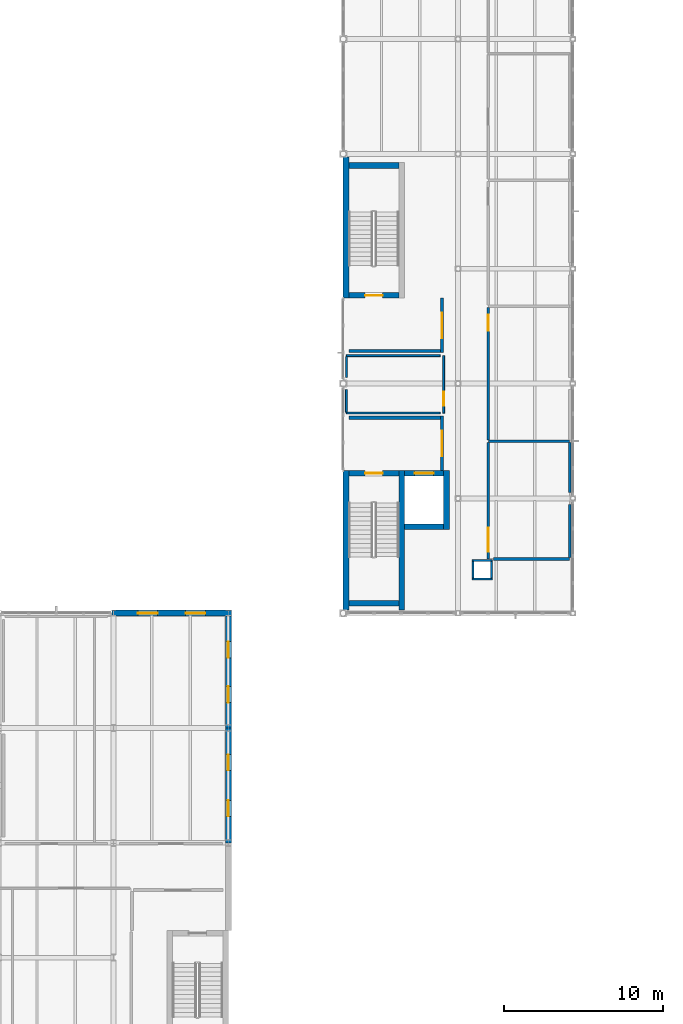
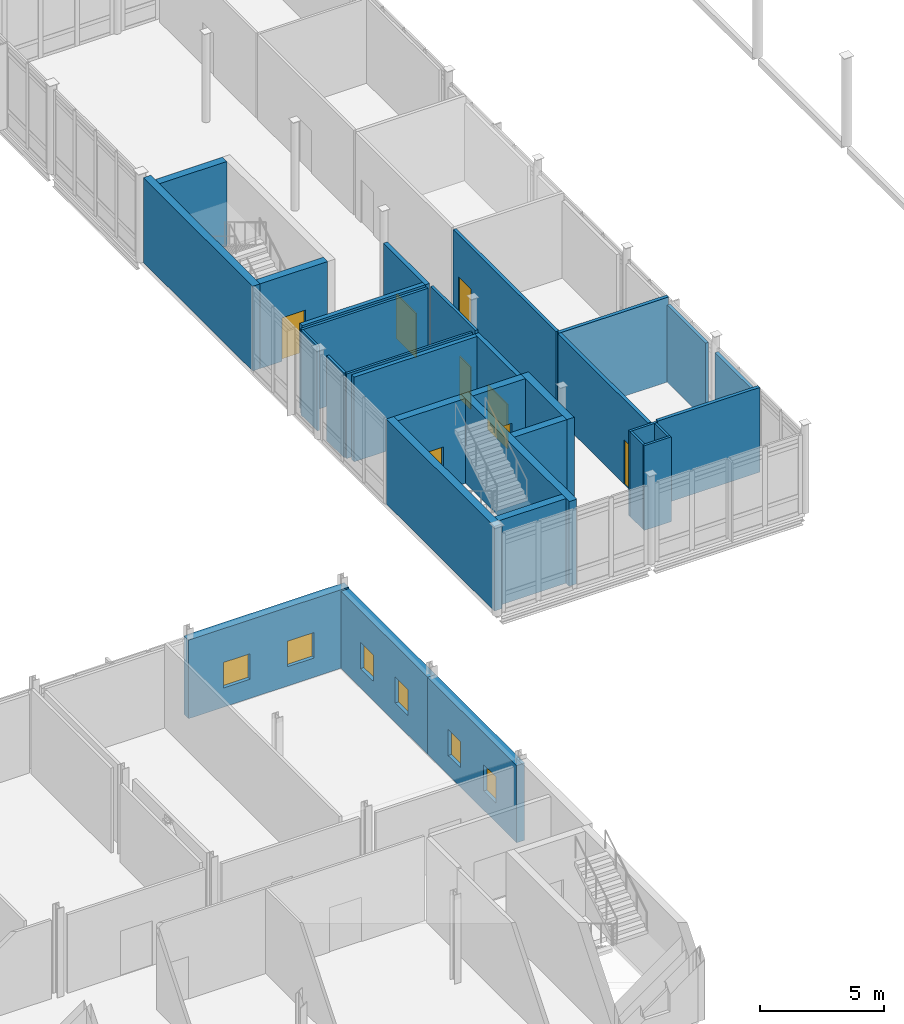
# One storey, part 57 of 76: 32 walls, 8 doors, 6 windows, 14 openings.
"""IFC4 building model written with IfcOpenShell, lengths in metres."""

from ifc_helpers import new_model, si_unit, direction, frame, frame_2d, origin, place, context, subcontext, project, spatial, rectangle, extrude, material, layer, layer_set, type_object, element, fill, save


model = new_model("IFC4")

# Units and contexts
model_context = context("Model", 3, precision=1e-05, world=origin(), true_north=direction((0.0, 1.0)))
body_context = subcontext(model_context, "Body", "Model", "MODEL_VIEW")
ifc_project = project(units=[si_unit("LENGTHUNIT", "METRE"), si_unit("AREAUNIT", "SQUARE_METRE"), si_unit("VOLUMEUNIT", "CUBIC_METRE"), si_unit("PLANEANGLEUNIT", "RADIAN"), si_unit("MASSUNIT", "GRAM", prefix="KILO")], contexts=[model_context])

# Site, building, storey
site_placement = place(None, origin())
site = spatial("IfcSite", under=ifc_project, at=site_placement, CompositionType="ELEMENT")
building_placement = place(site_placement, origin())
building = spatial("IfcBuilding", under=site, at=building_placement, Name="Zarrinpeak Specialist Clinic", CompositionType="ELEMENT")
storey_placement = place(building_placement, frame((0.0, 0.0, 5.199951171875)))
storey = spatial("IfcBuildingStorey", under=building, at=storey_placement, Name="L01", CompositionType="ELEMENT", Elevation=5.199951171875)

# Wall
ifc_material_1 = material(Name="Concrete C40/50", Category="concrete")
ifc_layer_1 = layer(ifc_material_1, 0.35009765625)
ifc_layer_set_1 = layer_set([ifc_layer_1], Name="Concrete C40/50")
wall_type_1 = type_object("IfcWallType", Name="WL-CR350", PredefinedType="SHEAR", material=ifc_layer_set_1)
wall_1_placement = place(storey_placement, frame((93.949951171875, 29.425048828125, 0.0), z_axis=(0.0, 0.0, 1.0), x_axis=(1.0, 0.0, 0.0)))
element("IfcWall", 1, at=wall_1_placement, inside=storey, type_object=wall_type_1, Name="L01 Core C05 Shear Wall STS", PredefinedType="SHEAR", context=body_context, shape_type="SweptSolid", body=[
    extrude(rectangle(XDim=3.150146484375, YDim=0.35009765625, at=frame_2d((1.5751953125, 0.0))), origin(), (0.0, 0.0, 1.0), 4.18505859375),
])

# Wall, opening, door
wall_2_placement = place(storey_placement, frame((93.949951171875, 37.574951171875, 0.0), z_axis=(0.0, 0.0, 1.0), x_axis=(1.0, 0.0, 0.0)))
wall_2 = element("IfcWall", 2, at=wall_2_placement, inside=storey, type_object=wall_type_1, Name="L01 Core C05 Shear Wall STN", PredefinedType="SHEAR", context=body_context, shape_type="SweptSolid", body=[
    extrude(rectangle(XDim=3.150146484375, YDim=0.35009765625, at=frame_2d((1.5751953125, 0.0))), origin(), (0.0, 0.0, 1.0), 4.18505859375),
])
opening_1_placement = place(wall_2_placement, frame((1.02490234375, 0.0, 0.0)))
opening_1 = element("IfcOpeningElement", 3, at=opening_1_placement, cuts=wall_2, Name="Opening D-S02", PredefinedType="OPENING", context=body_context, shape_type="SweptSolid", body=[
    extrude(rectangle(XDim=1.10009765625, YDim=2.14990234375, at=frame_2d((0.550048828125, 1.074951171875))), frame((0.0, 0.18505859375, 0.0), z_axis=(0.0, -1.0, 0.0), x_axis=(1.0, 0.0, 0.0)), (0.0, 0.0, 1.0), 0.3701171875),
])
ifc_material_2 = material(Name="Powder-Coated Galvanised Steel", Category="steel")
door_type_1 = type_object("IfcDoorType", Name="DR-FD110", OperationType="SINGLE_SWING_RIGHT", PredefinedType="DOOR", material=ifc_material_2)
door_1_placement = place(opening_1_placement, frame((1.10009765625, 0.0, 0.0), z_axis=(0.0, 0.0, 1.0), x_axis=(-1.0, 0.0, 0.0)))
door_1 = element("IfcDoor", 4, at=door_1_placement, inside=storey, type_object=door_type_1, Name="L01 Protected Stair ST-05 Fire Door", OperationType="SINGLE_SWING_RIGHT", OverallHeight=2.14990234375, OverallWidth=1.10009765625, PredefinedType="DOOR", context=body_context, shape_type="SweptSolid", body=[
    extrude(rectangle(XDim=1.10009765625, YDim=2.14990234375, at=frame_2d((0.550048828125, 1.074951171875))), frame((0.0, 0.02490234375, 0.0), z_axis=(0.0, -1.0, 0.0), x_axis=(1.0, 0.0, 0.0)), (0.0, 0.0, 1.0), 0.050048828125),
])
fill(opening_1, door_1)

# Walls
for number, where, z_axis, x_axis, name in (
    (5, (93.77490234375, 29.0, 0.0), (0.0, 0.0, 1.0), (0.0, 1.0, 0.0), "L01 Core C05 Shear Wall STW"),
    (6, (97.27490234375, 29.0, 0.0), (0.0, 0.0, 1.0), (0.0, 1.0, 0.0), "L01 Core C05 Shear Wall STE"),
):
    element("IfcWall", number, at=place(storey_placement, frame(where, z_axis=z_axis, x_axis=x_axis)), inside=storey, type_object=wall_type_1, Name=name, PredefinedType="SHEAR", context=body_context, shape_type="SweptSolid", body=[
        extrude(rectangle(XDim=8.75, YDim=0.35009765625, at=frame_2d((4.375, 0.0))), origin(), (0.0, 0.0, 1.0), 4.18505859375),
    ])
wall_3_placement = place(storey_placement, frame((97.449951171875, 34.22509765625, 0.0), z_axis=(0.0, 0.0, 1.0), x_axis=(1.0, 0.0, 0.0)))
element("IfcWall", 7, at=wall_3_placement, inside=storey, type_object=wall_type_1, Name="L01 Lift LF-P3 Shaft Wall LFS", PredefinedType="SHEAR", context=body_context, shape_type="SweptSolid", body=[
    extrude(rectangle(XDim=2.449951171875, YDim=0.35009765625, at=frame_2d((1.22509765625, 0.0))), origin(), (0.0, 0.0, 1.0), 4.18505859375),
])

# Wall, opening, door
wall_4_placement = place(storey_placement, frame((97.449951171875, 37.574951171875, 0.0), z_axis=(0.0, 0.0, 1.0), x_axis=(1.0, 0.0, 0.0)))
wall_4 = element("IfcWall", 8, at=wall_4_placement, inside=storey, type_object=wall_type_1, Name="L01 Lift LF-P3 Shaft Wall LFN", PredefinedType="SHEAR", context=body_context, shape_type="SweptSolid", body=[
    extrude(rectangle(XDim=2.449951171875, YDim=0.35009765625, at=frame_2d((1.22509765625, 0.0))), origin(), (0.0, 0.0, 1.0), 4.18505859375),
])
opening_2_placement = place(wall_4_placement, frame((0.625, 0.0, 0.0)))
opening_2 = element("IfcOpeningElement", 9, at=opening_2_placement, cuts=wall_4, Name="Opening LD-02", PredefinedType="OPENING", context=body_context, shape_type="SweptSolid", body=[
    extrude(rectangle(XDim=1.199951171875, YDim=2.199951171875, at=frame_2d((0.60009765625, 1.10009765625))), frame((0.0, 0.18505859375, 0.0), z_axis=(0.0, -1.0, 0.0), x_axis=(1.0, 0.0, 0.0)), (0.0, 0.0, 1.0), 0.3701171875),
])
door_type_2 = type_object("IfcDoorType", Name="DR-LD120", OperationType="SLIDING_TO_RIGHT", PredefinedType="DOOR", material=ifc_material_2)
door_2_placement = place(opening_2_placement, origin())
door_2 = element("IfcDoor", 10, at=door_2_placement, inside=storey, type_object=door_type_2, Name="L01 Lift LF-P3 Sliding Landing Door", OperationType="SLIDING_TO_RIGHT", OverallHeight=2.199951171875, OverallWidth=1.199951171875, PredefinedType="DOOR", context=body_context, shape_type="SweptSolid", body=[
    extrude(rectangle(XDim=1.199951171875, YDim=2.199951171875, at=frame_2d((0.60009765625, 1.10009765625))), frame((0.0, 0.02490234375, 0.0), z_axis=(0.0, -1.0, 0.0), x_axis=(1.0, 0.0, 0.0)), (0.0, 0.0, 1.0), 0.050048828125),
])
fill(opening_2, door_2)

# Wall
wall_5_placement = place(storey_placement, frame((100.074951171875, 34.050048828125, 0.0), z_axis=(0.0, 0.0, 1.0), x_axis=(0.0, 1.0, 0.0)))
element("IfcWall", 11, at=wall_5_placement, inside=storey, type_object=wall_type_1, Name="L01 Lift LF-P3 Shaft Wall LFE", PredefinedType="SHEAR", context=body_context, shape_type="SweptSolid", body=[
    extrude(rectangle(XDim=3.699951171875, YDim=0.35009765625, at=frame_2d((1.85009765625, 0.0))), origin(), (0.0, 0.0, 1.0), 4.18505859375),
])

# Wall, opening, door
wall_6_placement = place(storey_placement, frame((93.949951171875, 48.72509765625, 0.0), z_axis=(0.0, 0.0, 1.0), x_axis=(1.0, 0.0, 0.0)))
wall_6 = element("IfcWall", 12, at=wall_6_placement, inside=storey, type_object=wall_type_1, Name="L01 Core C06 Shear Wall STS", PredefinedType="SHEAR", context=body_context, shape_type="SweptSolid", body=[
    extrude(rectangle(XDim=3.150146484375, YDim=0.35009765625, at=frame_2d((1.5751953125, 0.0))), origin(), (0.0, 0.0, 1.0), 4.18505859375),
])
opening_3_placement = place(wall_6_placement, frame((1.02490234375, 0.0, 0.0)))
opening_3 = element("IfcOpeningElement", 13, at=opening_3_placement, cuts=wall_6, Name="Opening D-S02", PredefinedType="OPENING", context=body_context, shape_type="SweptSolid", body=[
    extrude(rectangle(XDim=1.10009765625, YDim=2.14990234375, at=frame_2d((0.550048828125, 1.074951171875))), frame((0.0, 0.18505859375, 0.0), z_axis=(0.0, -1.0, 0.0), x_axis=(1.0, 0.0, 0.0)), (0.0, 0.0, 1.0), 0.3701171875),
])
door_3_placement = place(opening_3_placement, origin())
door_3 = element("IfcDoor", 14, at=door_3_placement, inside=storey, type_object=door_type_1, Name="L01 Protected Stair ST-06 Fire Door", OperationType="SINGLE_SWING_RIGHT", OverallHeight=2.14990234375, OverallWidth=1.10009765625, PredefinedType="DOOR", context=body_context, shape_type="SweptSolid", body=[
    extrude(rectangle(XDim=1.10009765625, YDim=2.14990234375, at=frame_2d((0.550048828125, 1.074951171875))), frame((0.0, 0.02490234375, 0.0), z_axis=(0.0, -1.0, 0.0), x_axis=(1.0, 0.0, 0.0)), (0.0, 0.0, 1.0), 0.050048828125),
])
fill(opening_3, door_3)

# Walls
wall_7_placement = place(storey_placement, frame((93.949951171875, 56.875, 0.0), z_axis=(0.0, 0.0, 1.0), x_axis=(1.0, 0.0, 0.0)))
element("IfcWall", 15, at=wall_7_placement, inside=storey, type_object=wall_type_1, Name="L01 Core C06 Shear Wall STN", PredefinedType="SHEAR", context=body_context, shape_type="SweptSolid", body=[
    extrude(rectangle(XDim=3.150146484375, YDim=0.35009765625, at=frame_2d((1.5751953125, 0.0))), origin(), (0.0, 0.0, 1.0), 4.18505859375),
])
wall_8_placement = place(storey_placement, frame((93.77490234375, 48.550048828125, 0.0), z_axis=(0.0, 0.0, 1.0), x_axis=(0.0, 1.0, 0.0)))
element("IfcWall", 16, at=wall_8_placement, inside=storey, type_object=wall_type_1, Name="L01 Core C06 Shear Wall STW", PredefinedType="SHEAR", context=body_context, shape_type="SweptSolid", body=[
    extrude(rectangle(XDim=8.8466796875, YDim=0.35009765625, at=frame_2d((4.42333984375, 0.0))), origin(), (0.0, 0.0, 1.0), 4.18505859375),
])

# Wall, openings, windows
ifc_material_3 = material(Name="Precast concrete C40/50", Category="concrete")
ifc_layer_2 = layer(ifc_material_3, 0.3798828125)
ifc_layer_set_2 = layer_set([ifc_layer_2], Name="Precast concrete C40/50")
wall_type_2 = type_object("IfcWallType", Name="WL-EW380", PredefinedType="STANDARD", material=ifc_layer_set_2)
wall_9_placement = place(storey_placement, frame((86.590087890625, 28.800048828125, 0.0), z_axis=(0.0, 0.0, 1.0), x_axis=(-1.0, 0.0, 0.0)))
wall_9 = element("IfcWall", 17, at=wall_9_placement, inside=storey, type_object=wall_type_2, Name="L01 V4 Exterior GRC Wall EW-L01-V4-0169", PredefinedType="STANDARD", context=body_context, shape_type="SweptSolid", body=[
    extrude(rectangle(XDim=7.5, YDim=0.3798828125, at=frame_2d((3.75, 0.0))), origin(), (0.0, 0.0, 1.0), 3.880126953125),
])
opening_4_placement = place(wall_9_placement, frame((1.633056640625, 0.0, 0.949951171875)))
opening_4 = element("IfcOpeningElement", 18, at=opening_4_placement, cuts=wall_9, Name="Opening WS-12", PredefinedType="OPENING", context=body_context, shape_type="SweptSolid", body=[
    extrude(rectangle(XDim=1.23388671875, YDim=1.260009765625, at=frame_2d((0.616943359375, 0.6298828125))), frame((0.0, 0.199951171875, 0.0), z_axis=(0.0, -1.0, 0.0), x_axis=(1.0, 0.0, 0.0)), (0.0, 0.0, 1.0), 0.39990234375),
])
opening_5_placement = place(wall_9_placement, frame((4.633056640625, 0.0, 0.949951171875)))
opening_5 = element("IfcOpeningElement", 19, at=opening_5_placement, cuts=wall_9, Name="Opening WS-12", PredefinedType="OPENING", context=body_context, shape_type="SweptSolid", body=[
    extrude(rectangle(XDim=1.23388671875, YDim=1.260009765625, at=frame_2d((0.616943359375, 0.6298828125))), frame((0.0, 0.199951171875, 0.0), z_axis=(0.0, -1.0, 0.0), x_axis=(1.0, 0.0, 0.0)), (0.0, 0.0, 1.0), 0.39990234375),
])
ifc_material_4 = material(Name="Thermally Broken Aluminium and Low-E Glazing", Category="aluminium")
window_type_1 = type_object("IfcWindowType", Name="WN-SP12", PartitioningType="SINGLE_PANEL", PredefinedType="WINDOW", material=ifc_material_4)
window_1_placement = place(opening_4_placement, origin())
window_1 = element("IfcWindow", 20, at=window_1_placement, inside=storey, type_object=window_type_1, Name="L01 Modular Facade Window WN-L01-0200", OverallHeight=1.260009765625, OverallWidth=1.23388671875, PartitioningType="SINGLE_PANEL", PredefinedType="WINDOW", context=body_context, shape_type="SweptSolid", body=[
    extrude(rectangle(XDim=1.23388671875, YDim=1.260009765625, at=frame_2d((0.616943359375, 0.6298828125))), frame((0.0, 0.030029296875, 0.0), z_axis=(0.0, -1.0, 0.0), x_axis=(1.0, 0.0, 0.0)), (0.0, 0.0, 1.0), 0.06005859375),
])
fill(opening_4, window_1)
window_2_placement = place(opening_5_placement, origin())
window_2 = element("IfcWindow", 21, at=window_2_placement, inside=storey, type_object=window_type_1, Name="L01 Modular Facade Window WN-L01-0201", OverallHeight=1.260009765625, OverallWidth=1.23388671875, PartitioningType="SINGLE_PANEL", PredefinedType="WINDOW", context=body_context, shape_type="SweptSolid", body=[
    extrude(rectangle(XDim=1.23388671875, YDim=1.260009765625, at=frame_2d((0.616943359375, 0.6298828125))), frame((0.0, 0.030029296875, 0.0), z_axis=(0.0, -1.0, 0.0), x_axis=(1.0, 0.0, 0.0)), (0.0, 0.0, 1.0), 0.06005859375),
])
fill(opening_5, window_2)

wall_10_placement = place(storey_placement, frame((86.39990234375, 14.39990234375, 0.0), z_axis=(0.0, 0.0, 1.0), x_axis=(0.0, 1.0, 0.0)))
wall_10 = element("IfcWall", 22, at=wall_10_placement, inside=storey, type_object=wall_type_2, Name="L01 V4 Exterior GRC Wall EW-L01-V4-0175", PredefinedType="STANDARD", context=body_context, shape_type="SweptSolid", body=[
    extrude(rectangle(XDim=7.2001953125, YDim=0.3798828125, at=frame_2d((3.60009765625, 0.0))), origin(), (0.0, 0.0, 1.0), 3.81005859375),
])
opening_6_placement = place(wall_10_placement, frame((1.662109375, 0.0, 0.949951171875)))
opening_6 = element("IfcOpeningElement", 23, at=opening_6_placement, cuts=wall_10, Name="Opening WS-18", PredefinedType="OPENING", context=body_context, shape_type="SweptSolid", body=[
    extrude(rectangle(XDim=0.99609375, YDim=1.2958984375, at=frame_2d((0.498046875, 0.64794921875))), frame((0.0, 0.199951171875, 0.0), z_axis=(0.0, -1.0, 0.0), x_axis=(1.0, 0.0, 0.0)), (0.0, 0.0, 1.0), 0.39990234375),
])
opening_7_placement = place(wall_10_placement, frame((4.5419921875, 0.0, 0.949951171875)))
opening_7 = element("IfcOpeningElement", 24, at=opening_7_placement, cuts=wall_10, Name="Opening WS-18", PredefinedType="OPENING", context=body_context, shape_type="SweptSolid", body=[
    extrude(rectangle(XDim=0.99609375, YDim=1.2958984375, at=frame_2d((0.498046875, 0.64794921875))), frame((0.0, 0.199951171875, 0.0), z_axis=(0.0, -1.0, 0.0), x_axis=(1.0, 0.0, 0.0)), (0.0, 0.0, 1.0), 0.39990234375),
])
window_type_2 = type_object("IfcWindowType", Name="WN-SP18", PartitioningType="SINGLE_PANEL", PredefinedType="WINDOW", material=ifc_material_4)
window_3_placement = place(opening_6_placement, origin())
window_3 = element("IfcWindow", 25, at=window_3_placement, inside=storey, type_object=window_type_2, Name="L01 Modular Facade Window WN-L01-0206", OverallHeight=1.2958984375, OverallWidth=0.99609375, PartitioningType="SINGLE_PANEL", PredefinedType="WINDOW", context=body_context, shape_type="SweptSolid", body=[
    extrude(rectangle(XDim=0.99609375, YDim=1.2958984375, at=frame_2d((0.498046875, 0.64794921875))), frame((0.0, 0.030029296875, 0.0), z_axis=(0.0, -1.0, 0.0), x_axis=(1.0, 0.0, 0.0)), (0.0, 0.0, 1.0), 0.06005859375),
])
fill(opening_6, window_3)
window_4_placement = place(opening_7_placement, origin())
window_4 = element("IfcWindow", 26, at=window_4_placement, inside=storey, type_object=window_type_2, Name="L01 Modular Facade Window WN-L01-0207", OverallHeight=1.2958984375, OverallWidth=0.99609375, PartitioningType="SINGLE_PANEL", PredefinedType="WINDOW", context=body_context, shape_type="SweptSolid", body=[
    extrude(rectangle(XDim=0.99609375, YDim=1.2958984375, at=frame_2d((0.498046875, 0.64794921875))), frame((0.0, 0.030029296875, 0.0), z_axis=(0.0, -1.0, 0.0), x_axis=(1.0, 0.0, 0.0)), (0.0, 0.0, 1.0), 0.06005859375),
])
fill(opening_7, window_4)

wall_11_placement = place(storey_placement, frame((86.39990234375, 21.60009765625, 0.0), z_axis=(0.0, 0.0, 1.0), x_axis=(0.0, 1.0, 0.0)))
wall_11 = element("IfcWall", 27, at=wall_11_placement, inside=storey, type_object=wall_type_2, Name="L01 V4 Exterior GRC Wall EW-L01-V4-0176", PredefinedType="STANDARD", context=body_context, shape_type="SweptSolid", body=[
    extrude(rectangle(XDim=7.010009765625, YDim=0.3798828125, at=frame_2d((3.5048828125, 0.0))), origin(), (0.0, 0.0, 1.0), 3.81005859375),
])
opening_8_placement = place(wall_11_placement, frame((1.587890625, 0.0, 0.949951171875)))
opening_8 = element("IfcOpeningElement", 28, at=opening_8_placement, cuts=wall_11, Name="Opening WS-19", PredefinedType="OPENING", context=body_context, shape_type="SweptSolid", body=[
    extrude(rectangle(XDim=1.030029296875, YDim=1.2958984375, at=frame_2d((0.51513671875, 0.64794921875))), frame((0.0, 0.199951171875, 0.0), z_axis=(0.0, -1.0, 0.0), x_axis=(1.0, 0.0, 0.0)), (0.0, 0.0, 1.0), 0.39990234375),
])
opening_9_placement = place(wall_11_placement, frame((4.39208984375, 0.0, 0.949951171875)))
opening_9 = element("IfcOpeningElement", 29, at=opening_9_placement, cuts=wall_11, Name="Opening WS-19", PredefinedType="OPENING", context=body_context, shape_type="SweptSolid", body=[
    extrude(rectangle(XDim=1.030029296875, YDim=1.2958984375, at=frame_2d((0.51513671875, 0.64794921875))), frame((0.0, 0.199951171875, 0.0), z_axis=(0.0, -1.0, 0.0), x_axis=(1.0, 0.0, 0.0)), (0.0, 0.0, 1.0), 0.39990234375),
])
window_type_3 = type_object("IfcWindowType", Name="WN-SP19", PartitioningType="SINGLE_PANEL", PredefinedType="WINDOW", material=ifc_material_4)
window_5_placement = place(opening_8_placement, origin())
window_5 = element("IfcWindow", 30, at=window_5_placement, inside=storey, type_object=window_type_3, Name="L01 Modular Facade Window WN-L01-0208", OverallHeight=1.2958984375, OverallWidth=1.030029296875, PartitioningType="SINGLE_PANEL", PredefinedType="WINDOW", context=body_context, shape_type="SweptSolid", body=[
    extrude(rectangle(XDim=1.030029296875, YDim=1.2958984375, at=frame_2d((0.51513671875, 0.64794921875))), frame((0.0, 0.030029296875, 0.0), z_axis=(0.0, -1.0, 0.0), x_axis=(1.0, 0.0, 0.0)), (0.0, 0.0, 1.0), 0.06005859375),
])
fill(opening_8, window_5)
window_6_placement = place(opening_9_placement, origin())
window_6 = element("IfcWindow", 31, at=window_6_placement, inside=storey, type_object=window_type_3, Name="L01 Modular Facade Window WN-L01-0209", OverallHeight=1.2958984375, OverallWidth=1.030029296875, PartitioningType="SINGLE_PANEL", PredefinedType="WINDOW", context=body_context, shape_type="SweptSolid", body=[
    extrude(rectangle(XDim=1.030029296875, YDim=1.2958984375, at=frame_2d((0.51513671875, 0.64794921875))), frame((0.0, 0.030029296875, 0.0), z_axis=(0.0, -1.0, 0.0), x_axis=(1.0, 0.0, 0.0)), (0.0, 0.0, 1.0), 0.06005859375),
])
fill(opening_9, window_6)

# Walls
ifc_material_5 = material(Name="Sanitary Service Chase Plumbing Wall", Category="gypsum")
ifc_layer_3 = layer(ifc_material_5, 0.110107421875)
ifc_layer_set_3 = layer_set([ifc_layer_3], Name="Sanitary Service Chase Plumbing Wall")
wall_type_3 = type_object("IfcWallType", Name="WL-IW110", PredefinedType="PARTITIONING", material=ifc_layer_set_3)
for number, where, z_axis, x_axis, name in (
    (32, (101.68994140625, 30.945068359375, 0.0), (0.0, 0.0, 1.0), (1.0, 0.0, 0.0), "L01 V3 Enclosed MEP Service Riser Wall S"),
    (33, (101.68994140625, 32.10498046875, 0.0), (0.0, 0.0, 1.0), (1.0, 0.0, 0.0), "L01 V3 Enclosed MEP Service Riser Wall N"),
):
    element("IfcWall", number, at=place(storey_placement, frame(where, z_axis=z_axis, x_axis=x_axis)), inside=storey, type_object=wall_type_3, Name=name, PredefinedType="PARTITIONING", context=body_context, shape_type="SweptSolid", body=[
        extrude(rectangle(XDim=1.27001953125, YDim=0.110107421875, at=frame_2d((0.635009765625, 0.0))), origin(), (0.0, 0.0, 1.0), 4.18505859375),
    ])
for number, where, z_axis, x_axis, name in (
    (34, (101.7451171875, 31.0, 0.0), (0.0, 0.0, 1.0), (0.0, 1.0, 0.0), "L01 V3 Enclosed MEP Service Riser Wall W"),
    (35, (102.905029296875, 31.0, 0.0), (0.0, 0.0, 1.0), (0.0, 1.0, 0.0), "L01 V3 Enclosed MEP Service Riser Wall E"),
):
    element("IfcWall", number, at=place(storey_placement, frame(where, z_axis=z_axis, x_axis=x_axis)), inside=storey, type_object=wall_type_3, Name=name, PredefinedType="PARTITIONING", context=body_context, shape_type="SweptSolid", body=[
        extrude(rectangle(XDim=1.050048828125, YDim=0.110107421875, at=frame_2d((0.52490234375, 0.0))), origin(), (0.0, 0.0, 1.0), 4.18505859375),
    ])
wall_12_placement = place(storey_placement, frame((93.800048828125, 41.35009765625, 0.0), z_axis=(0.0, 0.0, 1.0), x_axis=(1.0, 0.0, 0.0)))
element("IfcWall", 36, at=wall_12_placement, inside=storey, type_object=wall_type_3, Name="L01 L01 V3 Assisted Rehab Washroom Partition", PredefinedType="PARTITIONING", context=body_context, shape_type="SweptSolid", body=[
    extrude(rectangle(XDim=5.8798828125, YDim=0.110107421875, at=frame_2d((2.93994140625, 0.0))), origin(), (0.0, 0.0, 1.0), 4.18505859375),
])
wall_13_placement = place(storey_placement, frame((93.800048828125, 43.580078125, 0.0), z_axis=(0.0, 0.0, 1.0), x_axis=(0.0, 1.0, 0.0)))
element("IfcWall", 37, at=wall_13_placement, inside=storey, type_object=wall_type_3, Name="L01 L01 V3 Assisted Rehab Washroom Dividing Partition", PredefinedType="PARTITIONING", context=body_context, shape_type="SweptSolid", body=[
    extrude(rectangle(XDim=1.307373046875, YDim=0.110107421875, at=frame_2d((0.65380859375, 0.0))), origin(), (0.0, 0.0, 1.0), 4.18505859375),
])
ifc_material_6 = material(Name="Moisture-Resistant Wet-Room Partition", Category="gypsum")
ifc_layer_4 = layer(ifc_material_6, 0.125)
ifc_layer_set_4 = layer_set([ifc_layer_4], Name="Moisture-Resistant Wet-Room Partition")
wall_type_4 = type_object("IfcWallType", Name="WL-IW125W", PredefinedType="PARTITIONING", material=ifc_layer_set_4)
wall_14_placement = place(storey_placement, frame((93.800048828125, 44.949951171875, 0.0), z_axis=(0.0, 0.0, 1.0), x_axis=(1.0, 0.0, 0.0)))
element("IfcWall", 38, at=wall_14_placement, inside=storey, type_object=wall_type_4, Name="L01 L01 V3 Assisted Rehab Washroom Partition", PredefinedType="PARTITIONING", context=body_context, shape_type="SweptSolid", body=[
    extrude(rectangle(XDim=5.8798828125, YDim=0.125, at=frame_2d((2.93994140625, 0.0))), origin(), (0.0, 0.0, 1.0), 4.18505859375),
])
wall_15_placement = place(storey_placement, frame((93.800048828125, 41.405029296875, 0.0), z_axis=(0.0, 0.0, 1.0), x_axis=(0.0, 1.0, 0.0)))
element("IfcWall", 39, at=wall_15_placement, inside=storey, type_object=wall_type_4, Name="L01 L01 V3 Assisted Rehab Washroom Dividing Partition", PredefinedType="PARTITIONING", context=body_context, shape_type="SweptSolid", body=[
    extrude(rectangle(XDim=1.4150390625, YDim=0.125, at=frame_2d((0.70751953125, 0.0))), origin(), (0.0, 0.0, 1.0), 4.18505859375),
])

# Wall, opening, door
wall_16_placement = place(storey_placement, frame((99.89990234375, 41.35009765625, 0.0), z_axis=(0.0, 0.0, 1.0), x_axis=(0.0, 1.0, 0.0)))
wall_16 = element("IfcWall", 40, at=wall_16_placement, inside=storey, type_object=wall_type_4, Name="L01 L01 V3 Assisted Rehab Washroom Dividing Partition", PredefinedType="PARTITIONING", context=body_context, shape_type="SweptSolid", body=[
    extrude(rectangle(XDim=3.599853515625, YDim=0.125, at=frame_2d((1.7998046875, 0.0))), origin(), (0.0, 0.0, 1.0), 4.18505859375),
])
opening_10_placement = place(wall_16_placement, frame((0.449951171875, 0.0, 0.0)))
opening_10 = element("IfcOpeningElement", 41, at=opening_10_placement, cuts=wall_16, Name="Opening D-W01", PredefinedType="OPENING", context=body_context, shape_type="SweptSolid", body=[
    extrude(rectangle(XDim=0.89990234375, YDim=2.10009765625, at=frame_2d((0.449951171875, 1.050048828125))), frame((0.0, 0.072509765625, 0.0), z_axis=(0.0, -1.0, 0.0), x_axis=(1.0, 0.0, 0.0)), (0.0, 0.0, 1.0), 0.14501953125),
])
door_type_3 = type_object("IfcDoorType", Name="DR-WC90", OperationType="SINGLE_SWING_RIGHT", PredefinedType="DOOR", material=ifc_material_2)
door_4_placement = place(opening_10_placement, frame((0.89990234375, 0.0, 0.0), z_axis=(0.0, 0.0, 1.0), x_axis=(-1.0, 0.0, 0.0)))
door_4 = element("IfcDoor", 42, at=door_4_placement, inside=storey, type_object=door_type_3, Name="L01 L01 V3 Assisted Rehab Washroom Door", OperationType="SINGLE_SWING_RIGHT", OverallHeight=2.10009765625, OverallWidth=0.89990234375, PredefinedType="DOOR", context=body_context, shape_type="SweptSolid", body=[
    extrude(rectangle(XDim=0.89990234375, YDim=2.10009765625, at=frame_2d((0.449951171875, 1.050048828125))), frame((0.0, 0.02490234375, 0.0), z_axis=(0.0, -1.0, 0.0), x_axis=(1.0, 0.0, 0.0)), (0.0, 0.0, 1.0), 0.050048828125),
])
fill(opening_10, door_4)

# Wall
ifc_material_7 = material(Name="Acoustic Consultation Stud Partition", Category="gypsum")
ifc_layer_5 = layer(ifc_material_7, 0.14208984375)
ifc_layer_set_5 = layer_set([ifc_layer_5], Name="Acoustic Consultation Stud Partition")
wall_type_5 = type_object("IfcWallType", Name="WL-IW142", PredefinedType="PARTITIONING", material=ifc_layer_set_5)
wall_17_placement = place(storey_placement, frame((107.800048828125, 36.3798828125, 0.0), z_axis=(0.0, 0.0, 1.0), x_axis=(0.0, 1.0, 0.0)))
element("IfcWall", 43, at=wall_17_placement, inside=storey, type_object=wall_type_5, Name="L01 Occupational Therapy ADL Gallery Dividing Partition", PredefinedType="PARTITIONING", context=body_context, shape_type="SweptSolid", body=[
    extrude(rectangle(XDim=3.110107421875, YDim=0.14208984375, at=frame_2d((1.55517578125, 0.0))), origin(), (0.0, 0.0, 1.0), 3.81005859375),
])

# Wall, opening, door
ifc_material_8 = material(Name="Insulated Clinical Gypsum Stud Partition", Category="gypsum")
ifc_layer_6 = layer(ifc_material_8, 0.14990234375)
ifc_layer_set_6 = layer_set([ifc_layer_6], Name="Insulated Clinical Gypsum Stud Partition")
wall_type_6 = type_object("IfcWallType", Name="WL-IW150", PredefinedType="PARTITIONING", material=ifc_layer_set_6)
wall_18_placement = place(storey_placement, frame((102.699951171875, 39.64990234375, 0.0), z_axis=(0.0, 0.0, 1.0), x_axis=(0.0, 1.0, 0.0)))
wall_18 = element("IfcWall", 44, at=wall_18_placement, inside=storey, type_object=wall_type_6, Name="L01 Hand Splinting Therapy Studio Dividing Partition", PredefinedType="PARTITIONING", context=body_context, shape_type="SweptSolid", body=[
    extrude(rectangle(XDim=8.315185546875, YDim=0.14990234375, at=frame_2d((4.15771484375, 0.0))), origin(), (0.0, 0.0, 1.0), 4.18505859375),
])
opening_11_placement = place(wall_18_placement, frame((6.85498046875, 0.0, 0.0)))
opening_11 = element("IfcOpeningElement", 45, at=opening_11_placement, cuts=wall_18, Name="Opening DS-45", PredefinedType="OPENING", context=body_context, shape_type="SweptSolid", body=[
    extrude(rectangle(XDim=1.010009765625, YDim=2.1240234375, at=frame_2d((0.5048828125, 1.06201171875))), frame((0.0, 0.0849609375, 0.0), z_axis=(0.0, -1.0, 0.0), x_axis=(1.0, 0.0, 0.0)), (0.0, 0.0, 1.0), 0.169921875),
])
door_type_4 = type_object("IfcDoorType", Name="DR-SP45", OperationType="SINGLE_SWING_RIGHT", PredefinedType="DOOR", material=ifc_material_2)
door_5_placement = place(opening_11_placement, origin())
door_5 = element("IfcDoor", 46, at=door_5_placement, inside=storey, type_object=door_type_4, Name="L01 Hand Splinting Therapy Studio Door", OperationType="SINGLE_SWING_RIGHT", OverallHeight=2.1240234375, OverallWidth=1.010009765625, PredefinedType="DOOR", context=body_context, shape_type="SweptSolid", body=[
    extrude(rectangle(XDim=1.010009765625, YDim=2.1240234375, at=frame_2d((0.5048828125, 1.06201171875))), frame((0.0, 0.02490234375, 0.0), z_axis=(0.0, -1.0, 0.0), x_axis=(1.0, 0.0, 0.0)), (0.0, 0.0, 1.0), 0.050048828125),
])
fill(opening_11, door_5)

# Walls
wall_19_placement = place(storey_placement, frame((107.800048828125, 32.280029296875, 0.0), z_axis=(0.0, 0.0, 1.0), x_axis=(0.0, 1.0, 0.0)))
element("IfcWall", 47, at=wall_19_placement, inside=storey, type_object=wall_type_6, Name="L01 Occupational Therapy ADL Gallery Dividing Partition", PredefinedType="PARTITIONING", context=body_context, shape_type="SweptSolid", body=[
    extrude(rectangle(XDim=3.340087890625, YDim=0.14990234375, at=frame_2d((1.669921875, 0.0))), origin(), (0.0, 0.0, 1.0), 3.81005859375),
])
ifc_material_9 = material(Name="Acoustic Double Gypsum Stud Partition", Category="gypsum")
ifc_layer_7 = layer(ifc_material_9, 0.159912109375)
ifc_layer_set_7 = layer_set([ifc_layer_7], Name="Acoustic Double Gypsum Stud Partition")
wall_type_7 = type_object("IfcWallType", Name="WL-IW160", PredefinedType="PARTITIONING", material=ifc_layer_set_7)
wall_20_placement = place(storey_placement, frame((103.034912109375, 32.199951171875, 0.0), z_axis=(0.0, 0.0, 1.0), x_axis=(1.0, 0.0, 0.0)))
element("IfcWall", 48, at=wall_20_placement, inside=storey, type_object=wall_type_7, Name="L01 Occupational Therapy ADL Gallery Partition", PredefinedType="PARTITIONING", context=body_context, shape_type="SweptSolid", body=[
    extrude(rectangle(XDim=4.76513671875, YDim=0.159912109375, at=frame_2d((2.382568359375, 0.0))), origin(), (0.0, 0.0, 1.0), 4.18505859375),
])
wall_21_placement = place(storey_placement, frame((102.699951171875, 39.570068359375, 0.0), z_axis=(0.0, 0.0, 1.0), x_axis=(1.0, 0.0, 0.0)))
element("IfcWall", 49, at=wall_21_placement, inside=storey, type_object=wall_type_7, Name="L01 Occupational Therapy ADL Gallery Partition", PredefinedType="PARTITIONING", context=body_context, shape_type="SweptSolid", body=[
    extrude(rectangle(XDim=5.10009765625, YDim=0.159912109375, at=frame_2d((2.550048828125, 0.0))), origin(), (0.0, 0.0, 1.0), 4.18505859375),
])

# Wall, opening, door
wall_22_placement = place(storey_placement, frame((102.699951171875, 32.199951171875, 0.0), z_axis=(0.0, 0.0, 1.0), x_axis=(0.0, 1.0, 0.0)))
wall_22 = element("IfcWall", 50, at=wall_22_placement, inside=storey, type_object=wall_type_7, Name="L01 Occupational Therapy ADL Gallery Dividing Partition", PredefinedType="PARTITIONING", context=body_context, shape_type="SweptSolid", body=[
    extrude(rectangle(XDim=7.2900390625, YDim=0.159912109375, at=frame_2d((3.64501953125, 0.0))), origin(), (0.0, 0.0, 1.0), 4.18505859375),
])
opening_12_placement = place(wall_22_placement, frame((0.449951171875, 0.0, 0.0)))
opening_12 = element("IfcOpeningElement", 51, at=opening_12_placement, cuts=wall_22, Name="Opening D-B01", PredefinedType="OPENING", context=body_context, shape_type="SweptSolid", body=[
    extrude(rectangle(XDim=1.5, YDim=2.199951171875, at=frame_2d((0.75, 1.10009765625))), frame((0.0, 0.08984375, 0.0), z_axis=(0.0, -1.0, 0.0), x_axis=(1.0, 0.0, 0.0)), (0.0, 0.0, 1.0), 0.179931640625),
])
door_type_5 = type_object("IfcDoorType", Name="DR-BED150", OperationType="DOUBLE_DOOR_SINGLE_SWING", PredefinedType="DOOR", material=ifc_material_2)
door_6_placement = place(opening_12_placement, origin())
door_6 = element("IfcDoor", 52, at=door_6_placement, inside=storey, type_object=door_type_5, Name="L01 Occupational Therapy ADL Gallery Door", OperationType="DOUBLE_DOOR_SINGLE_SWING", OverallHeight=2.199951171875, OverallWidth=1.5, PredefinedType="DOOR", context=body_context, shape_type="SweptSolid", body=[
    extrude(rectangle(XDim=1.5, YDim=2.199951171875, at=frame_2d((0.75, 1.10009765625))), frame((0.0, 0.02490234375, 0.0), z_axis=(0.0, -1.0, 0.0), x_axis=(1.0, 0.0, 0.0)), (0.0, 0.0, 1.0), 0.050048828125),
])
fill(opening_12, door_6)

ifc_material_10 = material(Name="Autoclaved Aerated Concrete Blockwork", Category="masonry")
ifc_layer_8 = layer(ifc_material_10, 0.199951171875)
ifc_layer_set_8 = layer_set([ifc_layer_8], Name="Autoclaved Aerated Concrete Blockwork")
wall_type_8 = type_object("IfcWallType", Name="WL-IW200", PredefinedType="PARTITIONING", material=ifc_layer_set_8)
wall_23_placement = place(storey_placement, frame((99.800048828125, 37.75, 0.0), z_axis=(0.0, 0.0, 1.0), x_axis=(0.0, 1.0, 0.0)))
wall_23 = element("IfcWall", 53, at=wall_23_placement, inside=storey, type_object=wall_type_8, Name="L01 C05 Protected Lobby Partition LBF", PredefinedType="PARTITIONING", context=body_context, shape_type="SweptSolid", body=[
    extrude(rectangle(XDim=3.39990234375, YDim=0.199951171875, at=frame_2d((1.699951171875, 0.0))), origin(), (0.0, 0.0, 1.0), 4.18505859375),
])
opening_13_placement = place(wall_23_placement, frame((0.89990234375, 0.0, 0.0)))
opening_13 = element("IfcOpeningElement", 54, at=opening_13_placement, cuts=wall_23, Name="Opening D-L01", PredefinedType="OPENING", context=body_context, shape_type="SweptSolid", body=[
    extrude(rectangle(XDim=1.60009765625, YDim=2.199951171875, at=frame_2d((0.800048828125, 1.10009765625))), frame((0.0, 0.10986328125, 0.0), z_axis=(0.0, -1.0, 0.0), x_axis=(1.0, 0.0, 0.0)), (0.0, 0.0, 1.0), 0.219970703125),
])
door_type_6 = type_object("IfcDoorType", Name="DR-LB160", OperationType="DOUBLE_DOOR_SINGLE_SWING", PredefinedType="DOOR", material=ifc_material_2)
door_7_placement = place(opening_13_placement, origin())
door_7 = element("IfcDoor", 55, at=door_7_placement, inside=storey, type_object=door_type_6, Name="L01 C05 Lobby Hold-Open Fire Door", OperationType="DOUBLE_DOOR_SINGLE_SWING", OverallHeight=2.199951171875, OverallWidth=1.60009765625, PredefinedType="DOOR", context=body_context, shape_type="SweptSolid", body=[
    extrude(rectangle(XDim=1.60009765625, YDim=2.199951171875, at=frame_2d((0.800048828125, 1.10009765625))), frame((0.0, 0.02490234375, 0.0), z_axis=(0.0, -1.0, 0.0), x_axis=(1.0, 0.0, 0.0)), (0.0, 0.0, 1.0), 0.050048828125),
])
fill(opening_13, door_7)

# Wall
wall_24_placement = place(storey_placement, frame((93.949951171875, 41.050048828125, 0.0), z_axis=(0.0, 0.0, 1.0), x_axis=(1.0, 0.0, 0.0)))
element("IfcWall", 56, at=wall_24_placement, inside=storey, type_object=wall_type_8, Name="L01 C05 Protected Lobby Partition LBSIDE", PredefinedType="PARTITIONING", context=body_context, shape_type="SweptSolid", body=[
    extrude(rectangle(XDim=5.75, YDim=0.199951171875, at=frame_2d((2.875, 0.0))), origin(), (0.0, 0.0, 1.0), 4.18505859375),
])

# Wall, opening, door
wall_25_placement = place(storey_placement, frame((99.800048828125, 45.14990234375, 0.0), z_axis=(0.0, 0.0, 1.0), x_axis=(0.0, 1.0, 0.0)))
wall_25 = element("IfcWall", 57, at=wall_25_placement, inside=storey, type_object=wall_type_8, Name="L01 C06 Protected Lobby Partition LBF", PredefinedType="PARTITIONING", context=body_context, shape_type="SweptSolid", body=[
    extrude(rectangle(XDim=3.400146484375, YDim=0.199951171875, at=frame_2d((1.7001953125, 0.0))), origin(), (0.0, 0.0, 1.0), 4.18505859375),
])
opening_14_placement = place(wall_25_placement, frame((0.89990234375, 0.0, 0.0)))
opening_14 = element("IfcOpeningElement", 58, at=opening_14_placement, cuts=wall_25, Name="Opening D-L01", PredefinedType="OPENING", context=body_context, shape_type="SweptSolid", body=[
    extrude(rectangle(XDim=1.60009765625, YDim=2.199951171875, at=frame_2d((0.800048828125, 1.10009765625))), frame((0.0, 0.10986328125, 0.0), z_axis=(0.0, -1.0, 0.0), x_axis=(1.0, 0.0, 0.0)), (0.0, 0.0, 1.0), 0.219970703125),
])
door_8_placement = place(opening_14_placement, origin())
door_8 = element("IfcDoor", 59, at=door_8_placement, inside=storey, type_object=door_type_6, Name="L01 C06 Lobby Hold-Open Fire Door", OperationType="DOUBLE_DOOR_SINGLE_SWING", OverallHeight=2.199951171875, OverallWidth=1.60009765625, PredefinedType="DOOR", context=body_context, shape_type="SweptSolid", body=[
    extrude(rectangle(XDim=1.60009765625, YDim=2.199951171875, at=frame_2d((0.800048828125, 1.10009765625))), frame((0.0, 0.02490234375, 0.0), z_axis=(0.0, -1.0, 0.0), x_axis=(1.0, 0.0, 0.0)), (0.0, 0.0, 1.0), 0.050048828125),
])
fill(opening_14, door_8)

# Wall
wall_26_placement = place(storey_placement, frame((93.949951171875, 45.25, 0.0), z_axis=(0.0, 0.0, 1.0), x_axis=(1.0, 0.0, 0.0)))
element("IfcWall", 60, at=wall_26_placement, inside=storey, type_object=wall_type_8, Name="L01 C06 Protected Lobby Partition LBSIDE", PredefinedType="PARTITIONING", context=body_context, shape_type="SweptSolid", body=[
    extrude(rectangle(XDim=5.75, YDim=0.199951171875, at=frame_2d((2.875, 0.0))), origin(), (0.0, 0.0, 1.0), 4.18505859375),
])

save(model, "model.ifc")
